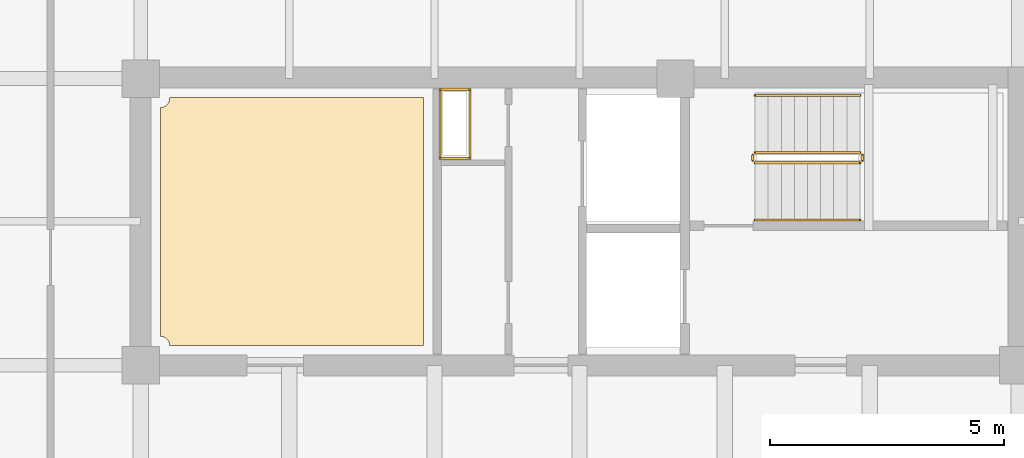
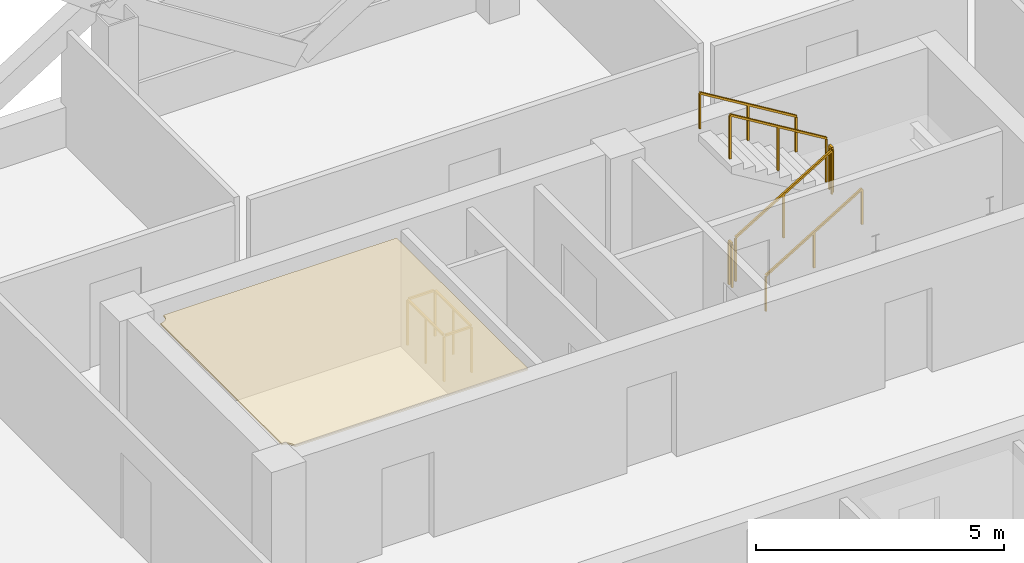
# One storey, part 7 of 8: 7 railings, 1 covering.
"""IFC4 building model written with IfcOpenShell, lengths in metres."""

from ifc_helpers import new_model, si_unit, direction, frame, origin, origin_2d, place, context, subcontext, project, spatial, polyline, rectangle, outline, extrude, material, layer, layer_set, type_object, element, save


model = new_model("IFC4")

# Units and contexts
model_context = context("Model", 3, precision=1e-05, world=origin(), true_north=direction((0.0, 1.0)))
body_context = subcontext(model_context, "Body", "Model", "MODEL_VIEW")
ifc_project = project(units=[si_unit("LENGTHUNIT", "METRE"), si_unit("AREAUNIT", "SQUARE_METRE"), si_unit("VOLUMEUNIT", "CUBIC_METRE"), si_unit("PLANEANGLEUNIT", "RADIAN"), si_unit("MASSUNIT", "GRAM", prefix="KILO")], contexts=[model_context])

# Site, building, storey
site_placement = place(None, origin())
site = spatial("IfcSite", under=ifc_project, at=site_placement, CompositionType="ELEMENT")
building_placement = place(site_placement, origin())
building = spatial("IfcBuilding", under=site, at=building_placement, Name="Qhalaya Broadcast Tower", CompositionType="ELEMENT")
storey_placement = place(building_placement, frame((0.0, 0.0, 223.89990234375)))
storey = spatial("IfcBuildingStorey", under=building, at=storey_placement, Name="L66", CompositionType="ELEMENT", Elevation=223.89990234375)

# Covering
ifc_material_1 = material(Name="Acoustic Mineral-Fibre Ceiling")
ifc_layer = layer(ifc_material_1, 0.0400390625, Name="Acoustic Mineral-Fibre Ceiling")
ifc_layer_set = layer_set([ifc_layer], Name="Acoustic Mineral-Fibre Ceiling")
covering_type = type_object("IfcCoveringType", Name="Acoustic Mineral-Fibre Suspended Ceiling CLG-01", PredefinedType="CEILING", material=ifc_layer_set)
covering_placement = place(storey_placement, frame((0.0, 0.0, 2.820068359375)))
element("IfcCovering", 1, at=covering_placement, inside=storey, type_object=covering_type, Name="L66 Acoustic Suspended Ceiling 01", PredefinedType="CEILING", context=body_context, shape_type="SweptSolid", body=[
    extrude(outline(polyline([(-8.756103515625, 4.2646484375), (-8.755126953125, 4.25), (-3.330078125, 4.25), (-3.330078125, 9.550048828125), (-8.7548828125, 9.550048828125), (-8.7548828125, 9.530029296875), (-8.756103515625, 9.510498046875), (-8.7587890625, 9.490966796875), (-8.763671875, 9.471923828125), (-8.770263671875, 9.45361328125), (-8.778564453125, 9.435791015625), (-8.788818359375, 9.4189453125), (-8.80029296875, 9.403076171875), (-8.813720703125, 9.388671875), (-8.828125, 9.37548828125), (-8.843994140625, 9.36376953125), (-8.860595703125, 9.353515625), (-8.87841796875, 9.34521484375), (-8.89697265625, 9.338623046875), (-8.916015625, 9.333740234375), (-8.935302734375, 9.3310546875), (-8.949951171875, 9.330078125), (-8.949951171875, 4.44482421875), (-8.935302734375, 4.444091796875), (-8.916015625, 4.441162109375), (-8.89697265625, 4.436279296875), (-8.87841796875, 4.4296875), (-8.860595703125, 4.42138671875), (-8.843994140625, 4.411376953125), (-8.828125, 4.399658203125), (-8.813720703125, 4.386474609375), (-8.80029296875, 4.371826171875), (-8.788818359375, 4.356201171875), (-8.778564453125, 4.33935546875), (-8.770263671875, 4.321533203125), (-8.763671875, 4.302978515625), (-8.7587890625, 4.283935546875), (-8.756103515625, 4.2646484375)])), origin(), (0.0, 0.0, 1.0), 0.0400390625),
])

# Railings
ifc_material_2 = material(Name="Powder-Coated Galvanised Steel", Category="steel")
railing_type_1 = type_object("IfcRailingType", Name="Stair Wall Handrail 900", PredefinedType="HANDRAIL", material=ifc_material_2)
railing_1_placement = place(storey_placement, frame((3.75, 6.929931640625, 0.16943359375)))
element("IfcRailing", 2, at=railing_1_placement, inside=storey, type_object=railing_type_1, Name="L66 ST-1 Stair Handrail 1", PredefinedType="HANDRAIL", context=body_context, shape_type="SweptSolid", body=[
    extrude(rectangle(XDim=0.048095703125, YDim=0.048095703125, at=origin_2d()), frame((0.0, 0.0, 0.8759765625), z_axis=(0.855512035549, 0.0, 0.517782924622), x_axis=(0.0, 1.0, 0.0)), (0.0, 0.0, 1.0), 2.618408203125),
    extrude(rectangle(XDim=0.0419921875, YDim=0.0419921875, at=origin_2d()), origin(), (0.0, 0.0, 1.0), 0.849853515625),
    extrude(rectangle(XDim=0.0419921875, YDim=0.0419921875, at=origin_2d()), frame((1.1201171875, 0.0, 0.677734375)), (0.0, 0.0, 1.0), 0.849853515625),
    extrude(rectangle(XDim=0.0419921875, YDim=0.0419921875, at=origin_2d()), frame((2.239990234375, 0.0, 1.355712890625)), (0.0, 0.0, 1.0), 0.849853515625),
])
railing_2_placement = place(storey_placement, frame((5.989990234375, 9.590087890625, 1.694580078125)))
element("IfcRailing", 3, at=railing_2_placement, inside=storey, type_object=railing_type_1, Name="L66 ST-1 Stair Handrail 2", PredefinedType="HANDRAIL", context=body_context, shape_type="SweptSolid", body=[
    extrude(rectangle(XDim=0.048095703125, YDim=0.048095703125, at=origin_2d()), frame((0.0, 0.0, 0.8759765625), z_axis=(-0.855553338991, 0.0, 0.51771467445), x_axis=(0.0, -1.0, 0.0)), (0.0, 0.0, 1.0), 2.6181640625),
    extrude(rectangle(XDim=0.0419921875, YDim=0.0419921875, at=origin_2d()), origin(), (0.0, 0.0, 1.0), 0.849853515625),
    extrude(rectangle(XDim=0.0419921875, YDim=0.0419921875, at=origin_2d()), frame((-1.1201171875, 0.0, 0.677734375)), (0.0, 0.0, 1.0), 0.849853515625),
    extrude(rectangle(XDim=0.0419921875, YDim=0.0419921875, at=origin_2d()), frame((-2.239990234375, 0.0, 1.35546875)), (0.0, 0.0, 1.0), 0.849853515625),
])
railing_type_2 = type_object("IfcRailingType", Name="Stair Well & Landing Guardrail 1100", PredefinedType="GUARDRAIL", material=ifc_material_2)
railing_3_placement = place(storey_placement, frame((-2.340087890625, 8.239990234375, 0.0)))
element("IfcRailing", 4, at=railing_3_placement, inside=storey, type_object=railing_type_2, Name="L66 Service Riser Opening Safety Guard NRSR", PredefinedType="GUARDRAIL", context=body_context, shape_type="SweptSolid", body=[
    extrude(rectangle(XDim=0.048095703125, YDim=0.048095703125, at=origin_2d()), frame((0.0, 0.02880859375, 1.1259765625), z_axis=(0.0, 1.0, 0.0), x_axis=(-1.0, 0.0, 0.0)), (0.0, 0.0, 1.0), 1.42236328125),
    extrude(rectangle(XDim=0.048095703125, YDim=0.048095703125, at=origin_2d()), frame((-0.02880859375, 1.47998046875, 1.1259765625), z_axis=(-1.0, 0.0, 0.0), x_axis=(0.0, -1.0, 0.0)), (0.0, 0.0, 1.0), 0.582275390625),
    extrude(rectangle(XDim=0.048095703125, YDim=0.048095703125, at=origin_2d()), frame((-0.639892578125, 1.451171875, 1.1259765625), z_axis=(0.0, -1.0, 0.0), x_axis=(1.0, 0.0, 0.0)), (0.0, 0.0, 1.0), 1.42236328125),
    extrude(rectangle(XDim=0.048095703125, YDim=0.048095703125, at=origin_2d()), frame((-0.611083984375, 0.0, 1.1259765625), z_axis=(1.0, 0.0, 0.0), x_axis=(0.0, 1.0, 0.0)), (0.0, 0.0, 1.0), 0.582275390625),
    extrude(rectangle(XDim=0.0419921875, YDim=0.0419921875, at=origin_2d()), origin(), (0.0, 0.0, 1.0), 1.099853515625),
    extrude(rectangle(XDim=0.0419921875, YDim=0.0419921875, at=origin_2d()), frame((0.0, 0.739990234375, 0.0)), (0.0, 0.0, 1.0), 1.099853515625),
    extrude(rectangle(XDim=0.0419921875, YDim=0.0419921875, at=origin_2d()), frame((0.0, 1.47998046875, 0.0)), (0.0, 0.0, 1.0), 1.099853515625),
    extrude(rectangle(XDim=0.0419921875, YDim=0.0419921875, at=origin_2d()), frame((-0.639892578125, 1.47998046875, 0.0)), (0.0, 0.0, 1.0), 1.099853515625),
    extrude(rectangle(XDim=0.0419921875, YDim=0.0419921875, at=origin_2d()), frame((-0.639892578125, 0.739990234375, 0.0)), (0.0, 0.0, 1.0), 1.099853515625),
    extrude(rectangle(XDim=0.0419921875, YDim=0.0419921875, at=origin_2d()), frame((-0.639892578125, 0.0, 0.0)), (0.0, 0.0, 1.0), 1.099853515625),
])
railing_4_placement = place(storey_placement, frame((3.75, 8.14990234375, 0.16943359375)))
element("IfcRailing", 5, at=railing_4_placement, inside=storey, type_object=railing_type_2, Name="L66 ST-1 Stair Guard 1", PredefinedType="GUARDRAIL", context=body_context, shape_type="SweptSolid", body=[
    extrude(rectangle(XDim=0.048095703125, YDim=0.048095703125, at=origin_2d()), frame((0.0, 0.0, 1.076171875), z_axis=(0.855512035549, 0.0, 0.517782924622), x_axis=(0.0, 1.0, 0.0)), (0.0, 0.0, 1.0), 2.618408203125),
    extrude(rectangle(XDim=0.0419921875, YDim=0.0419921875, at=origin_2d()), origin(), (0.0, 0.0, 1.0), 1.050048828125),
    extrude(rectangle(XDim=0.0419921875, YDim=0.0419921875, at=origin_2d()), frame((1.1201171875, 0.0, 0.677734375)), (0.0, 0.0, 1.0), 1.050048828125),
    extrude(rectangle(XDim=0.0419921875, YDim=0.0419921875, at=origin_2d()), frame((2.239990234375, 0.0, 1.355712890625)), (0.0, 0.0, 1.0), 1.050048828125),
])
railing_5_placement = place(storey_placement, frame((6.0400390625, 8.199951171875, 1.525146484375)))
element("IfcRailing", 6, at=railing_5_placement, inside=storey, type_object=railing_type_2, Name="L66 ST-1 Stair Guard 2", PredefinedType="GUARDRAIL", context=body_context, shape_type="SweptSolid", body=[
    extrude(rectangle(XDim=0.048095703125, YDim=0.048095703125, at=origin_2d()), frame((0.0, 0.0, 1.076171875), z_axis=(0.0, 1.0, 0.0), x_axis=(-1.0, 0.0, 0.0)), (0.0, 0.0, 1.0), 0.1201171875),
    extrude(rectangle(XDim=0.0419921875, YDim=0.0419921875, at=origin_2d()), origin(), (0.0, 0.0, 1.0), 1.050048828125),
    extrude(rectangle(XDim=0.0419921875, YDim=0.0419921875, at=origin_2d()), frame((0.0, 0.1201171875, 0.0)), (0.0, 0.0, 1.0), 1.050048828125),
])
railing_6_placement = place(storey_placement, frame((5.989990234375, 8.3701171875, 1.694580078125)))
element("IfcRailing", 7, at=railing_6_placement, inside=storey, type_object=railing_type_2, Name="L66 ST-1 Stair Guard 3", PredefinedType="GUARDRAIL", context=body_context, shape_type="SweptSolid", body=[
    extrude(rectangle(XDim=0.048095703125, YDim=0.048095703125, at=origin_2d()), frame((0.0, 0.0, 1.076171875), z_axis=(-0.855553338991, 0.0, 0.51771467445), x_axis=(0.0, -1.0, 0.0)), (0.0, 0.0, 1.0), 2.6181640625),
    extrude(rectangle(XDim=0.0419921875, YDim=0.0419921875, at=origin_2d()), origin(), (0.0, 0.0, 1.0), 1.050048828125),
    extrude(rectangle(XDim=0.0419921875, YDim=0.0419921875, at=origin_2d()), frame((-1.1201171875, 0.0, 0.677734375)), (0.0, 0.0, 1.0), 1.050048828125),
    extrude(rectangle(XDim=0.0419921875, YDim=0.0419921875, at=origin_2d()), frame((-2.239990234375, 0.0, 1.35546875)), (0.0, 0.0, 1.0), 1.050048828125),
])
railing_7_placement = place(storey_placement, frame((3.699951171875, 8.199951171875, 0.0)))
element("IfcRailing", 8, at=railing_7_placement, inside=storey, type_object=railing_type_2, Name="L66 ST-1 Stair Guard 4", PredefinedType="GUARDRAIL", context=body_context, shape_type="SweptSolid", body=[
    extrude(rectangle(XDim=0.048095703125, YDim=0.048095703125, at=origin_2d()), frame((0.0, 0.0, 1.076171875), z_axis=(0.0, 1.0, 0.0), x_axis=(-1.0, 0.0, 0.0)), (0.0, 0.0, 1.0), 0.1201171875),
    extrude(rectangle(XDim=0.0419921875, YDim=0.0419921875, at=origin_2d()), origin(), (0.0, 0.0, 1.0), 1.050048828125),
    extrude(rectangle(XDim=0.0419921875, YDim=0.0419921875, at=origin_2d()), frame((0.0, 0.1201171875, 0.0)), (0.0, 0.0, 1.0), 1.050048828125),
])

save(model, "model.ifc")
